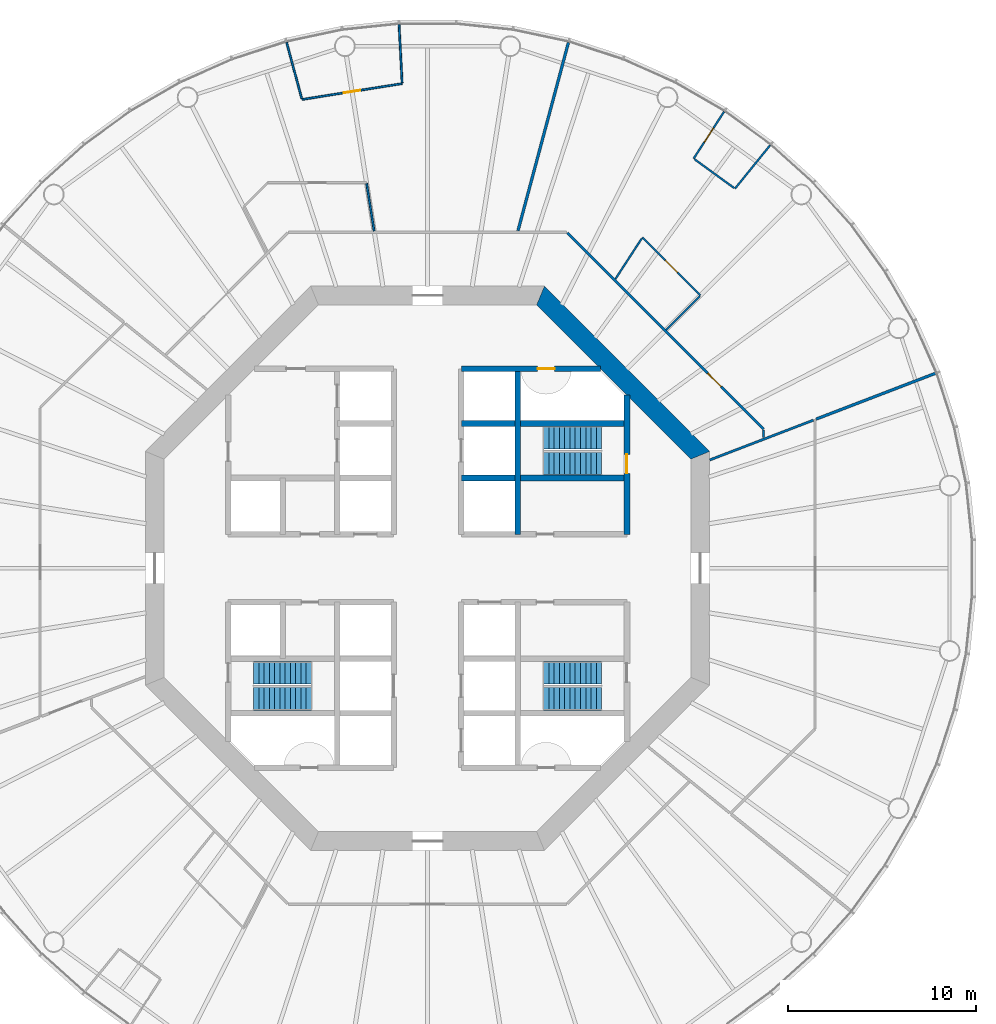
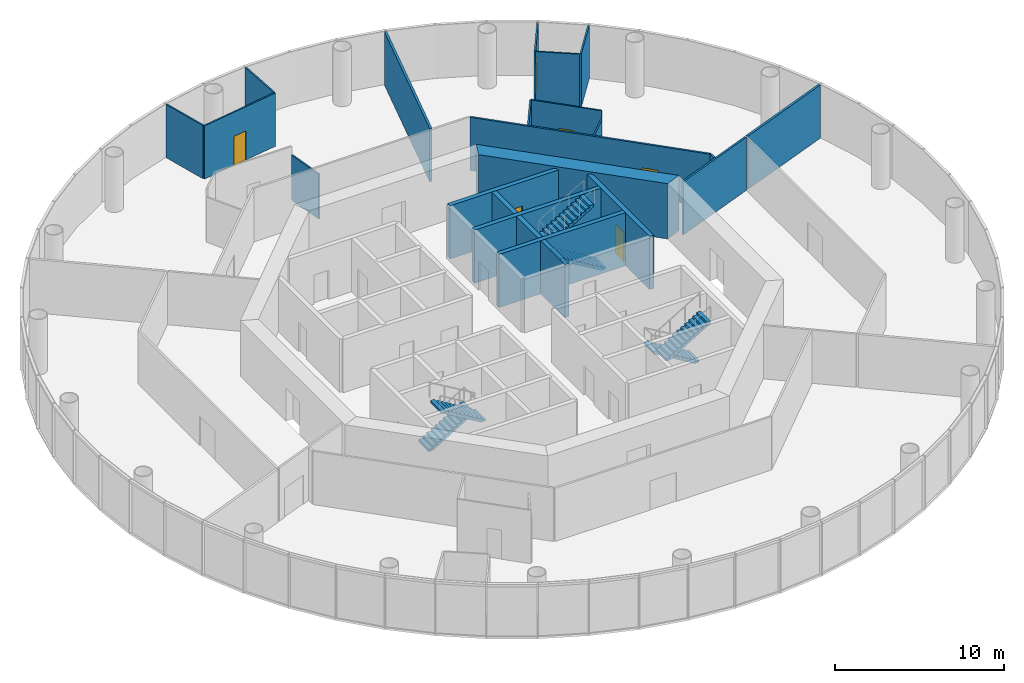
# One storey, part 5 of 12: 21 walls, 6 doors, 6 stair flights, 6 openings, 3 elements without a shape of their own.
"""IFC4 building model written with IfcOpenShell, lengths in metres."""

from ifc_helpers import new_model, si_unit, direction, frame, frame_2d, origin, place, context, subcontext, project, spatial, polyline, rectangle, outline, extrude, material, layer, layer_set, type_object, element, fill, aggregate, save


model = new_model("IFC4")

# Units and contexts
model_context = context("Model", 3, precision=1e-05, world=origin(), true_north=direction((0.0, 1.0)))
body_context = subcontext(model_context, "Body", "Model", "MODEL_VIEW")
ifc_project = project(units=[si_unit("LENGTHUNIT", "METRE"), si_unit("AREAUNIT", "SQUARE_METRE"), si_unit("VOLUMEUNIT", "CUBIC_METRE"), si_unit("PLANEANGLEUNIT", "RADIAN"), si_unit("MASSUNIT", "GRAM", prefix="KILO")], contexts=[model_context])

# Site, building, storey
site_placement = place(None, origin())
site = spatial("IfcSite", under=ifc_project, at=site_placement, CompositionType="ELEMENT")
building_placement = place(site_placement, origin())
building = spatial("IfcBuilding", under=site, at=building_placement, Name="Entoto Ring Tower", CompositionType="ELEMENT")
storey_placement = place(building_placement, frame((0.0, 0.0, 152.0)))
storey = spatial("IfcBuildingStorey", under=building, at=storey_placement, Name="L34", CompositionType="ELEMENT", Elevation=152.0)

# Wall, opening, door
ifc_material_1 = material(Name="Concrete C40/50", Category="concrete")
ifc_layer_1 = layer(ifc_material_1, 0.300048828125)
ifc_layer_set_1 = layer_set([ifc_layer_1], Name="Concrete C40/50")
wall_type_1 = type_object("IfcWallType", Name="Core enclosure wall 300 mm reinforced concrete", PredefinedType="SOLIDWALL", material=ifc_layer_set_1)
wall_1_placement = place(storey_placement, frame((100.60009765625, 81.800048828125, 0.0), z_axis=(0.0, 0.0, 1.0), x_axis=(0.0, 1.0, 0.0)))
wall_1 = element("IfcWall", 1, at=wall_1_placement, inside=storey, type_object=wall_type_1, Name="wall-L34-002", PredefinedType="SOLIDWALL", context=body_context, shape_type="SweptSolid", body=[
    extrude(rectangle(XDim=7.39892578125, YDim=0.300048828125, at=frame_2d((3.699462890625, 0.0))), origin(), (0.0, 0.0, 1.0), 3.85009765625),
])
opening_1_placement = place(wall_1_placement, frame((3.25, 0.0, 0.0)))
opening_1 = element("IfcOpeningElement", 2, at=opening_1_placement, cuts=wall_1, Name="Opening K-52", PredefinedType="OPENING", context=body_context, shape_type="SweptSolid", body=[
    extrude(rectangle(XDim=1.0, YDim=2.10009765625, at=frame_2d((0.5, 1.050048828125))), frame((0.0, 0.16015625, 0.0), z_axis=(0.0, -1.0, 0.0), x_axis=(1.0, 0.0, 0.0)), (0.0, 0.0, 1.0), 0.320068359375),
])
ifc_material_2 = material(Name="Steel door leaf, fire rated", Category="steel")
ifc_layer_2 = layer(ifc_material_2, 0.050048828125)
ifc_layer_set_2 = layer_set([ifc_layer_2], Name="Steel door leaf, fire rated")
door_type_1 = type_object("IfcDoorType", Name="Fire door FD60 1000 x 2100 single leaf", OperationType="NOTDEFINED", PredefinedType="DOOR", material=ifc_layer_set_2)
door_1_placement = place(opening_1_placement, origin())
door_1 = element("IfcDoor", 3, at=door_1_placement, inside=storey, type_object=door_type_1, Name="Door K-52", OperationType="SINGLE_SWING_LEFT", OverallHeight=2.10009765625, OverallWidth=1.0, PredefinedType="DOOR", context=body_context, shape_type="SweptSolid", body=[
    extrude(rectangle(XDim=1.0, YDim=2.10009765625, at=frame_2d((0.5, 1.050048828125))), frame((0.0, 0.02490234375, 0.0), z_axis=(0.0, -1.0, 0.0), x_axis=(1.0, 0.0, 0.0)), (0.0, 0.0, 1.0), 0.050048828125),
])
fill(opening_1, door_1)

# Walls
for number, where, z_axis, x_axis, name in (
    (4, (94.800048828125, 81.800048828125, 0.0), (0.0, 0.0, 1.0), (0.0, 1.0, 0.0), "wall-L34-004"),
    (5, (91.800048828125, 84.800048828125, 0.0), (0.0, 0.0, 1.0), (1.0, 0.0, 0.0), "wall-L34-026"),
    (6, (91.800048828125, 87.699951171875, 0.0), (0.0, 0.0, 1.0), (1.0, 0.0, 0.0), "wall-L34-028"),
):
    element("IfcWall", number, at=place(storey_placement, frame(where, z_axis=z_axis, x_axis=x_axis)), inside=storey, type_object=wall_type_1, Name=name, PredefinedType="SOLIDWALL", context=body_context, shape_type="SweptSolid", body=[
        extrude(rectangle(XDim=8.800048828125, YDim=0.300048828125, at=frame_2d((4.39990234375, 0.0))), origin(), (0.0, 0.0, 1.0), 3.85009765625),
    ])

# Wall, opening, door
wall_2_placement = place(storey_placement, frame((91.800048828125, 90.60009765625, 0.0), z_axis=(0.0, 0.0, 1.0), x_axis=(1.0, 0.0, 0.0)))
wall_2 = element("IfcWall", 7, at=wall_2_placement, inside=storey, type_object=wall_type_1, Name="wall-L34-030", PredefinedType="SOLIDWALL", context=body_context, shape_type="SweptSolid", body=[
    extrude(rectangle(XDim=7.39892578125, YDim=0.300048828125, at=frame_2d((3.699462890625, 0.0))), origin(), (0.0, 0.0, 1.0), 3.85009765625),
])
opening_2_placement = place(wall_2_placement, frame((4.050048828125, 0.0, 0.0)))
opening_2 = element("IfcOpeningElement", 8, at=opening_2_placement, cuts=wall_2, Name="Opening K-60", PredefinedType="OPENING", context=body_context, shape_type="SweptSolid", body=[
    extrude(rectangle(XDim=0.89990234375, YDim=2.10009765625, at=frame_2d((0.449951171875, 1.050048828125))), frame((0.0, 0.16015625, 0.0), z_axis=(0.0, -1.0, 0.0), x_axis=(1.0, 0.0, 0.0)), (0.0, 0.0, 1.0), 0.320068359375),
])
ifc_material_3 = material(Name="Steel door leaf, fire rated", Category="steel")
ifc_layer_3 = layer(ifc_material_3, 0.050048828125)
ifc_layer_set_3 = layer_set([ifc_layer_3], Name="Steel door leaf, fire rated")
door_type_2 = type_object("IfcDoorType", Name="Riser door FD60 900 x 2100 single leaf", OperationType="NOTDEFINED", PredefinedType="DOOR", material=ifc_layer_set_3)
door_2_placement = place(opening_2_placement, frame((0.89990234375, 0.0, 0.0), z_axis=(0.0, 0.0, 1.0), x_axis=(-1.0, 0.0, 0.0)))
door_2 = element("IfcDoor", 9, at=door_2_placement, inside=storey, type_object=door_type_2, Name="Door K-60", OperationType="SINGLE_SWING_RIGHT", OverallHeight=2.10009765625, OverallWidth=0.89990234375, PredefinedType="DOOR", context=body_context, shape_type="SweptSolid", body=[
    extrude(rectangle(XDim=0.89990234375, YDim=2.10009765625, at=frame_2d((0.449951171875, 1.050048828125))), frame((0.0, 0.02490234375, 0.0), z_axis=(0.0, -1.0, 0.0), x_axis=(1.0, 0.0, 0.0)), (0.0, 0.0, 1.0), 0.050048828125),
])
fill(opening_2, door_2)

# Wall
ifc_material_4 = material(Name="Concrete C50/60", Category="concrete")
ifc_layer_4 = layer(ifc_material_4, 1.0)
ifc_layer_set_4 = layer_set([ifc_layer_4], Name="Concrete C50/60")
wall_type_2 = type_object("IfcWallType", Name="Core shear wall 1000 mm reinforced concrete C50/60", PredefinedType="SHEAR", material=ifc_layer_set_4)
wall_3_placement = place(storey_placement, frame((104.5, 86.006103515625, 0.0), z_axis=(0.0, 0.0, 1.0), x_axis=(-0.707106781187, 0.707106781187, 0.0)))
element("IfcWall", 10, at=wall_3_placement, inside=storey, type_object=wall_type_2, Name="wall-L34-core-1", PredefinedType="SHEAR", context=body_context, shape_type="SweptSolid", body=[
    extrude(outline(polyline([(-0.20703125, -0.5), (12.21923828125, -0.5), (11.80517578125, 0.5), (0.20703125, 0.5), (-0.20703125, -0.5)])), origin(), (0.0, 0.0, 1.0), 4.0),
])

# Wall, opening, door
ifc_material_5 = material(Name="Fire-resisting plasterboard on steel studs", Category="steel")
ifc_layer_5 = layer(ifc_material_5, 0.125)
ifc_layer_set_5 = layer_set([ifc_layer_5], Name="Fire-resisting plasterboard on steel studs")
wall_type_3 = type_object("IfcWallType", Name="Corridor wall 125 mm one-hour plasterboard on steel studs", PredefinedType="PARTITIONING", material=ifc_layer_set_5)
wall_4_placement = place(storey_placement, frame((107.862548828125, 87.39892578125, 0.0), z_axis=(0.0, 0.0, 1.0), x_axis=(-0.707115054973, 0.707098507303, 0.0)))
wall_4 = element("IfcWall", 11, at=wall_4_placement, inside=storey, type_object=wall_type_3, Name="partition-L34-006", PredefinedType="PARTITIONING", context=body_context, shape_type="SweptSolid", body=[
    extrude(rectangle(XDim=14.753662109375, YDim=0.125, at=frame_2d((7.376953125, 0.0))), origin(), (0.0, 0.0, 1.0), 3.85009765625),
])
opening_3_placement = place(wall_4_placement, frame((3.199462890625, 0.0, 0.0)))
opening_3 = element("IfcOpeningElement", 12, at=opening_3_placement, cuts=wall_4, Name="Opening A15-D03", PredefinedType="OPENING", context=body_context, shape_type="SweptSolid", body=[
    extrude(rectangle(XDim=1.0, YDim=2.10009765625, at=frame_2d((0.5, 1.050048828125))), frame((0.0, 0.072509765625, 0.0), z_axis=(0.0, -1.0, 0.0), x_axis=(1.0, 0.0, 0.0)), (0.0, 0.0, 1.0), 0.14501953125),
])
ifc_material_6 = material(Name="Fire-resisting timber door set", Category="wood")
door_type_3 = type_object("IfcDoorType", Name="Door 1000 x 2100 single leaf FD30S fire door", OperationType="NOTDEFINED", PredefinedType="DOOR", material=ifc_material_6)
door_3_placement = place(opening_3_placement, frame((1.0, 0.0, 0.0), z_axis=(0.0, 0.0, 1.0), x_axis=(-1.0, 0.0, 0.0)))
door_3 = element("IfcDoor", 13, at=door_3_placement, inside=storey, type_object=door_type_3, Name="Door A15-D03", OperationType="SINGLE_SWING_LEFT", OverallHeight=2.10009765625, OverallWidth=1.0, PredefinedType="DOOR", context=body_context, shape_type="SweptSolid", body=[
    extrude(rectangle(XDim=1.0, YDim=2.10009765625, at=frame_2d((0.5, 1.050048828125))), frame((0.0, 0.02490234375, 0.0), z_axis=(0.0, -1.0, 0.0), x_axis=(1.0, 0.0, 0.0)), (0.0, 0.0, 1.0), 0.050048828125),
])
fill(opening_3, door_3)

# Walls
wall_5_placement = place(storey_placement, frame((105.0, 85.758056640625, 0.0), z_axis=(0.0, 0.0, 1.0), x_axis=(0.933592488158, 0.358336526264, 0.0)))
element("IfcWall", 14, at=wall_5_placement, inside=storey, type_object=wall_type_3, Name="partition-L34-012", PredefinedType="PARTITIONING", context=body_context, shape_type="SweptSolid", body=[
    extrude(rectangle(XDim=5.90771484375, YDim=0.125, at=frame_2d((2.953857421875, 0.0))), origin(), (0.0, 0.0, 1.0), 3.85009765625),
])
wall_6_placement = place(storey_placement, frame((107.862548828125, 86.947509765625, 0.0), z_axis=(0.0, 0.0, 1.0), x_axis=(0.0, 1.0, 0.0)))
element("IfcWall", 15, at=wall_6_placement, inside=storey, type_object=wall_type_3, Name="partition-L34-016", PredefinedType="PARTITIONING", context=body_context, shape_type="SweptSolid", body=[
    extrude(rectangle(XDim=0.407470703125, YDim=0.125, at=frame_2d((0.20361328125, 0.0))), origin(), (0.0, 0.0, 1.0), 3.85009765625),
])

# Wall, opening, door
ifc_material_7 = material(Name="Plasterboard on steel studs", Category="steel")
ifc_layer_6 = layer(ifc_material_7, 0.10009765625)
ifc_layer_set_6 = layer_set([ifc_layer_6], Name="Plasterboard on steel studs")
wall_type_4 = type_object("IfcWallType", Name="Partition 100 mm plasterboard on steel studs", PredefinedType="PARTITIONING", material=ifc_layer_set_6)
wall_7_placement = place(storey_placement, frame((83.322509765625, 104.9208984375, 0.0), z_axis=(0.0, 0.0, 1.0), x_axis=(0.987687980324, 0.156436739688, 0.0)))
wall_7 = element("IfcWall", 16, at=wall_7_placement, inside=storey, type_object=wall_type_4, Name="partition-L34-022", PredefinedType="PARTITIONING", context=body_context, shape_type="SweptSolid", body=[
    extrude(rectangle(XDim=5.3935546875, YDim=0.10009765625, at=frame_2d((2.69677734375, 0.0))), origin(), (0.0, 0.0, 1.0), 3.85009765625),
])
opening_4_placement = place(wall_7_placement, frame((2.246826171875, 0.0, 0.0)))
opening_4 = element("IfcOpeningElement", 17, at=opening_4_placement, cuts=wall_7, Name="Opening A15-D08", PredefinedType="OPENING", context=body_context, shape_type="SweptSolid", body=[
    extrude(rectangle(XDim=0.89990234375, YDim=2.10009765625, at=frame_2d((0.449951171875, 1.050048828125))), frame((0.0, 0.06005859375, 0.0), z_axis=(0.0, -1.0, 0.0), x_axis=(1.0, 0.0, 0.0)), (0.0, 0.0, 1.0), 0.1201171875),
])
ifc_material_8 = material(Name="Veneered timber door leaf in timber frame", Category="wood")
door_type_4 = type_object("IfcDoorType", Name="Door 900 x 2100 single leaf timber veneer", OperationType="NOTDEFINED", PredefinedType="DOOR", material=ifc_material_8)
door_4_placement = place(opening_4_placement, origin())
door_4 = element("IfcDoor", 18, at=door_4_placement, inside=storey, type_object=door_type_4, Name="Door A15-D08", OperationType="SINGLE_SWING_RIGHT", OverallHeight=2.10009765625, OverallWidth=0.89990234375, PredefinedType="DOOR", context=body_context, shape_type="SweptSolid", body=[
    extrude(rectangle(XDim=0.89990234375, YDim=2.10009765625, at=frame_2d((0.449951171875, 1.050048828125))), frame((0.0, 0.02490234375, 0.0), z_axis=(0.0, -1.0, 0.0), x_axis=(1.0, 0.0, 0.0)), (0.0, 0.0, 1.0), 0.050048828125),
])
fill(opening_4, door_4)

wall_8_placement = place(storey_placement, frame((104.50439453125, 94.50439453125, 0.0), z_axis=(0.0, 0.0, 1.0), x_axis=(-0.707078784165, 0.7071347771, 0.0)))
wall_8 = element("IfcWall", 19, at=wall_8_placement, inside=storey, type_object=wall_type_4, Name="partition-L34-025", PredefinedType="PARTITIONING", context=body_context, shape_type="SweptSolid", body=[
    extrude(rectangle(XDim=4.360107421875, YDim=0.10009765625, at=frame_2d((2.18017578125, 0.0))), origin(), (0.0, 0.0, 1.0), 3.85009765625),
])
opening_5_placement = place(wall_8_placement, frame((1.72998046875, 0.0, 0.0)))
opening_5 = element("IfcOpeningElement", 20, at=opening_5_placement, cuts=wall_8, Name="Opening A15-D04", PredefinedType="OPENING", context=body_context, shape_type="SweptSolid", body=[
    extrude(rectangle(XDim=0.89990234375, YDim=2.10009765625, at=frame_2d((0.449951171875, 1.050048828125))), frame((0.0, 0.06005859375, 0.0), z_axis=(0.0, -1.0, 0.0), x_axis=(1.0, 0.0, 0.0)), (0.0, 0.0, 1.0), 0.1201171875),
])
door_5_placement = place(opening_5_placement, origin())
door_5 = element("IfcDoor", 21, at=door_5_placement, inside=storey, type_object=door_type_4, Name="Door A15-D04", OperationType="SINGLE_SWING_RIGHT", OverallHeight=2.10009765625, OverallWidth=0.89990234375, PredefinedType="DOOR", context=body_context, shape_type="SweptSolid", body=[
    extrude(rectangle(XDim=0.89990234375, YDim=2.10009765625, at=frame_2d((0.449951171875, 1.050048828125))), frame((0.0, 0.02490234375, 0.0), z_axis=(0.0, -1.0, 0.0), x_axis=(1.0, 0.0, 0.0)), (0.0, 0.0, 1.0), 0.050048828125),
])
fill(opening_5, door_5)

# Walls
wall_9_placement = place(storey_placement, frame((88.647216796875, 105.814208984375, 0.0), z_axis=(0.0, 0.0, 1.0), x_axis=(-0.052376392373, 0.998627414766, 0.0)))
element("IfcWall", 22, at=wall_9_placement, inside=storey, type_object=wall_type_4, Name="partition-L34-026", PredefinedType="PARTITIONING", context=body_context, shape_type="SweptSolid", body=[
    extrude(rectangle(XDim=3.09033203125, YDim=0.10009765625, at=frame_2d((1.545166015625, 0.0))), origin(), (0.0, 0.0, 1.0), 3.85009765625),
])
wall_10_placement = place(storey_placement, frame((83.3095703125, 104.968994140625, 0.0), z_axis=(0.0, 0.0, 1.0), x_axis=(-0.258822964688, 0.965924776031, 0.0)))
element("IfcWall", 23, at=wall_10_placement, inside=storey, type_object=wall_type_4, Name="partition-L34-027", PredefinedType="PARTITIONING", context=body_context, shape_type="SweptSolid", body=[
    extrude(rectangle(XDim=3.090087890625, YDim=0.10009765625, at=frame_2d((1.544921875, 0.0))), origin(), (0.0, 0.0, 1.0), 3.85009765625),
])

# Wall, opening, door
wall_11_placement = place(storey_placement, frame((104.144287109375, 101.7802734375, 0.0), z_axis=(0.0, 0.0, 1.0), x_axis=(0.544682036648, 0.838642640791, 0.0)))
wall_11 = element("IfcWall", 24, at=wall_11_placement, inside=storey, type_object=wall_type_4, Name="partition-L34-028", PredefinedType="PARTITIONING", context=body_context, shape_type="SweptSolid", body=[
    extrude(rectangle(XDim=2.969970703125, YDim=0.10009765625, at=frame_2d((1.48486328125, 0.0))), origin(), (0.0, 0.0, 1.0), 3.85009765625),
])
opening_6_placement = place(wall_11_placement, frame((1.034912109375, 0.0, 0.0)))
opening_6 = element("IfcOpeningElement", 25, at=opening_6_placement, cuts=wall_11, Name="Opening A15-D05", PredefinedType="OPENING", context=body_context, shape_type="SweptSolid", body=[
    extrude(rectangle(XDim=0.89990234375, YDim=2.10009765625, at=frame_2d((0.449951171875, 1.050048828125))), frame((0.0, 0.06005859375, 0.0), z_axis=(0.0, -1.0, 0.0), x_axis=(1.0, 0.0, 0.0)), (0.0, 0.0, 1.0), 0.1201171875),
])
door_6_placement = place(opening_6_placement, frame((0.89990234375, 0.0, 0.0), z_axis=(0.0, 0.0, 1.0), x_axis=(-1.0, 0.0, 0.0)))
door_6 = element("IfcDoor", 26, at=door_6_placement, inside=storey, type_object=door_type_4, Name="Door A15-D05", OperationType="SINGLE_SWING_LEFT", OverallHeight=2.10009765625, OverallWidth=0.89990234375, PredefinedType="DOOR", context=body_context, shape_type="SweptSolid", body=[
    extrude(rectangle(XDim=0.89990234375, YDim=2.10009765625, at=frame_2d((0.449951171875, 1.050048828125))), frame((0.0, 0.02490234375, 0.0), z_axis=(0.0, -1.0, 0.0), x_axis=(1.0, 0.0, 0.0)), (0.0, 0.0, 1.0), 0.050048828125),
])
fill(opening_6, door_6)

# Walls
wall_12_placement = place(storey_placement, frame((106.343505859375, 100.1826171875, 0.0), z_axis=(0.0, 0.0, 1.0), x_axis=(0.629325928916, 0.777141476949, 0.0)))
element("IfcWall", 27, at=wall_12_placement, inside=storey, type_object=wall_type_4, Name="partition-L34-029", PredefinedType="PARTITIONING", context=body_context, shape_type="SweptSolid", body=[
    extrude(rectangle(XDim=2.9697265625, YDim=0.10009765625, at=frame_2d((1.48486328125, 0.0))), origin(), (0.0, 0.0, 1.0), 3.85009765625),
])
wall_13_placement = place(storey_placement, frame((106.302978515625, 100.2119140625, 0.0), z_axis=(0.0, 0.0, 1.0), x_axis=(-0.808994068442, 0.587816805839, 0.0)))
element("IfcWall", 28, at=wall_13_placement, inside=storey, type_object=wall_type_4, Name="partition-L34-034", PredefinedType="PARTITIONING", context=body_context, shape_type="SweptSolid", body=[
    extrude(rectangle(XDim=2.6181640625, YDim=0.10009765625, at=frame_2d((1.30908203125, 0.0))), origin(), (0.0, 0.0, 1.0), 3.85009765625),
])
wall_14_placement = place(storey_placement, frame((99.986572265625, 95.377685546875, 0.0), z_axis=(0.0, 0.0, 1.0), x_axis=(0.544588108652, 0.838703637714, 0.0)))
element("IfcWall", 29, at=wall_14_placement, inside=storey, type_object=wall_type_4, Name="partition-L34-036", PredefinedType="PARTITIONING", context=body_context, shape_type="SweptSolid", body=[
    extrude(rectangle(XDim=2.5732421875, YDim=0.10009765625, at=frame_2d((1.28662109375, 0.0))), origin(), (0.0, 0.0, 1.0), 3.85009765625),
])
ifc_material_9 = material(Name="Plasterboard on steel studs", Category="steel")
ifc_layer_7 = layer(ifc_material_9, 0.10009765625)
ifc_layer_set_7 = layer_set([ifc_layer_7], Name="Plasterboard on steel studs")
wall_type_5 = type_object("IfcWallType", Name="Partition 100 mm plasterboard on steel studs, 3250 mm high", PredefinedType="PARTITIONING", material=ifc_layer_set_7)
wall_15_placement = place(storey_placement, frame((87.15966796875, 97.9326171875, 0.0), z_axis=(0.0, 0.0, 1.0), x_axis=(-0.156375114101, 0.987697739033, 0.0)))
element("IfcWall", 30, at=wall_15_placement, inside=storey, type_object=wall_type_5, Name="partition-L34-037", PredefinedType="PARTITIONING", context=body_context, shape_type="SweptSolid", body=[
    extrude(rectangle(XDim=2.552734375, YDim=0.10009765625, at=frame_2d((1.2763671875, 0.0))), origin(), (0.0, 0.0, 1.0), 3.25),
])
wall_16_placement = place(storey_placement, frame((102.675048828125, 92.675048828125, 0.0), z_axis=(0.0, 0.0, 1.0), x_axis=(0.707106781187, 0.707106781187, 0.0)))
element("IfcWall", 31, at=wall_16_placement, inside=storey, type_object=wall_type_5, Name="partition-L34-038", PredefinedType="PARTITIONING", context=body_context, shape_type="SweptSolid", body=[
    extrude(rectangle(XDim=2.537109375, YDim=0.10009765625, at=frame_2d((1.2685546875, 0.0))), origin(), (0.0, 0.0, 1.0), 3.25),
])
ifc_material_10 = material(Name="Fire-resisting acoustic plasterboard on steel studs", Category="steel")
ifc_layer_8 = layer(ifc_material_10, 0.14990234375)
ifc_layer_set_8 = layer_set([ifc_layer_8], Name="Fire-resisting acoustic plasterboard on steel studs")
wall_type_6 = type_object("IfcWallType", Name="Party wall 150 mm one-hour acoustic plasterboard on steel studs", PredefinedType="PARTITIONING", material=ifc_layer_set_8)
wall_17_placement = place(storey_placement, frame((94.80810546875, 97.9443359375, 0.0), z_axis=(0.0, 0.0, 1.0), x_axis=(0.258826761906, 0.965923758545, 0.0)))
element("IfcWall", 32, at=wall_17_placement, inside=storey, type_object=wall_type_6, Name="partition-L34-017", PredefinedType="PARTITIONING", context=body_context, shape_type="SweptSolid", body=[
    extrude(rectangle(XDim=10.362548828125, YDim=0.14990234375, at=frame_2d((5.18115234375, 0.0))), origin(), (0.0, 0.0, 1.0), 3.85009765625),
])
wall_18_placement = place(storey_placement, frame((110.654296875, 87.928466796875, 0.0), z_axis=(0.0, 0.0, 1.0), x_axis=(0.933585412346, 0.358354960695, 0.0)))
element("IfcWall", 33, at=wall_18_placement, inside=storey, type_object=wall_type_6, Name="partition-L34-021", PredefinedType="PARTITIONING", context=body_context, shape_type="SweptSolid", body=[
    extrude(rectangle(XDim=6.816162109375, YDim=0.14990234375, at=frame_2d((3.408203125, 0.0))), origin(), (0.0, 0.0, 1.0), 3.85009765625),
])

# Stair, stair flights
ifc_material_11 = material(Name="Concrete C40/50", Category="concrete")
stair_type = type_object("IfcStairType", Name="Exit stair 1200 mm dog-leg reinforced concrete", PredefinedType="HALF_TURN_STAIR", material=ifc_material_11)
stair_1_placement = place(storey_placement, origin())
stair_1 = element("IfcStair", 34, at=stair_1_placement, inside=storey, type_object=stair_type, Name="Exit stair 1", PredefinedType="HALF_TURN_STAIR")
ifc_material_12 = material(Name="Concrete C40/50", Category="concrete")
stair_flight_type = type_object("IfcStairFlightType", Name="Stair flight 1200 mm reinforced concrete", PredefinedType="STRAIGHT", material=ifc_material_12)
stair_flight_1_placement = place(storey_placement, frame((99.25, 85.550048828125, 0.0), z_axis=(0.0, 0.0, 1.0), x_axis=(-1.0, 0.0, 0.0)))
stair_flight_1 = element("IfcStairFlight", 35, at=stair_flight_1_placement, type_object=stair_flight_type, Name="ST1 flight 1", NumberOfRisers=12, NumberOfTreads=11, PredefinedType="STRAIGHT", RiserHeight=0.166666667, TreadLength=0.28, context=body_context, shape_type="SweptSolid", body=[
    extrude(outline(polyline([(0.0, 0.0), (0.0, 0.166748046875), (0.280029296875, 0.166748046875), (0.280029296875, 0.333251953125), (0.56005859375, 0.333251953125), (0.56005859375, 0.5), (0.840087890625, 0.5), (0.840087890625, 0.666748046875), (1.1201171875, 0.666748046875), (1.1201171875, 0.833251953125), (1.39990234375, 0.833251953125), (1.39990234375, 1.0), (1.679931640625, 1.0), (1.679931640625, 1.166748046875), (1.9599609375, 1.166748046875), (1.9599609375, 1.333251953125), (2.239990234375, 1.333251953125), (2.239990234375, 1.5), (2.52001953125, 1.5), (2.52001953125, 1.666748046875), (2.800048828125, 1.666748046875), (2.800048828125, 1.833251953125), (3.080078125, 1.833251953125), (3.080078125, 2.0), (3.080078125, 1.658935546875), (0.29296875, 0.0), (0.0, 0.0)])), frame((0.0, 0.60009765625, 0.0), z_axis=(0.0, -1.0, 0.0), x_axis=(1.0, 0.0, 0.0)), (0.0, 0.0, 1.0), 1.199951171875),
])
stair_flight_2_placement = place(storey_placement, frame((96.169921875, 86.949951171875, 2.0), z_axis=(0.0, 0.0, 1.0), x_axis=(1.0, 0.0, 0.0)))
stair_flight_2 = element("IfcStairFlight", 36, at=stair_flight_2_placement, type_object=stair_flight_type, Name="ST1 flight 2", NumberOfRisers=12, NumberOfTreads=11, PredefinedType="STRAIGHT", RiserHeight=0.166666667, TreadLength=0.28, context=body_context, shape_type="SweptSolid", body=[
    extrude(outline(polyline([(0.0, 0.0), (0.0, 0.166748046875), (0.280029296875, 0.166748046875), (0.280029296875, 0.333251953125), (0.56005859375, 0.333251953125), (0.56005859375, 0.5), (0.840087890625, 0.5), (0.840087890625, 0.666748046875), (1.1201171875, 0.666748046875), (1.1201171875, 0.833251953125), (1.39990234375, 0.833251953125), (1.39990234375, 1.0), (1.679931640625, 1.0), (1.679931640625, 1.166748046875), (1.9599609375, 1.166748046875), (1.9599609375, 1.333251953125), (2.239990234375, 1.333251953125), (2.239990234375, 1.5), (2.52001953125, 1.5), (2.52001953125, 1.666748046875), (2.800048828125, 1.666748046875), (2.800048828125, 1.833251953125), (3.080078125, 1.833251953125), (3.080078125, 2.0), (3.080078125, 1.658935546875), (0.29296875, 0.0), (0.0, 0.0)])), frame((0.0, 0.60009765625, 0.0), z_axis=(0.0, -1.0, 0.0), x_axis=(1.0, 0.0, 0.0)), (0.0, 0.0, 1.0), 1.199951171875),
])
aggregate(stair_1, [stair_flight_1, stair_flight_2])

stair_2_placement = place(storey_placement, origin())
stair_2 = element("IfcStair", 37, at=stair_2_placement, inside=storey, type_object=stair_type, Name="Exit stair 2", PredefinedType="HALF_TURN_STAIR")
stair_flight_3_placement = place(storey_placement, frame((80.75, 74.449951171875, 0.0), z_axis=(0.0, 0.0, 1.0), x_axis=(1.0, 0.0, 0.0)))
stair_flight_3 = element("IfcStairFlight", 38, at=stair_flight_3_placement, type_object=stair_flight_type, Name="ST2 flight 1", NumberOfRisers=12, NumberOfTreads=11, PredefinedType="STRAIGHT", RiserHeight=0.166666667, TreadLength=0.28, context=body_context, shape_type="SweptSolid", body=[
    extrude(outline(polyline([(0.0, 0.0), (0.0, 0.166748046875), (0.280029296875, 0.166748046875), (0.280029296875, 0.333251953125), (0.56005859375, 0.333251953125), (0.56005859375, 0.5), (0.840087890625, 0.5), (0.840087890625, 0.666748046875), (1.1201171875, 0.666748046875), (1.1201171875, 0.833251953125), (1.39990234375, 0.833251953125), (1.39990234375, 1.0), (1.679931640625, 1.0), (1.679931640625, 1.166748046875), (1.9599609375, 1.166748046875), (1.9599609375, 1.333251953125), (2.239990234375, 1.333251953125), (2.239990234375, 1.5), (2.52001953125, 1.5), (2.52001953125, 1.666748046875), (2.800048828125, 1.666748046875), (2.800048828125, 1.833251953125), (3.080078125, 1.833251953125), (3.080078125, 2.0), (3.080078125, 1.658935546875), (0.29296875, 0.0), (0.0, 0.0)])), frame((0.0, 0.60009765625, 0.0), z_axis=(0.0, -1.0, 0.0), x_axis=(1.0, 0.0, 0.0)), (0.0, 0.0, 1.0), 1.199951171875),
])
stair_flight_4_placement = place(storey_placement, frame((83.830078125, 73.050048828125, 2.0), z_axis=(0.0, 0.0, 1.0), x_axis=(-1.0, 0.0, 0.0)))
stair_flight_4 = element("IfcStairFlight", 39, at=stair_flight_4_placement, type_object=stair_flight_type, Name="ST2 flight 2", NumberOfRisers=12, NumberOfTreads=11, PredefinedType="STRAIGHT", RiserHeight=0.166666667, TreadLength=0.28, context=body_context, shape_type="SweptSolid", body=[
    extrude(outline(polyline([(0.0, 0.0), (0.0, 0.166748046875), (0.280029296875, 0.166748046875), (0.280029296875, 0.333251953125), (0.56005859375, 0.333251953125), (0.56005859375, 0.5), (0.840087890625, 0.5), (0.840087890625, 0.666748046875), (1.1201171875, 0.666748046875), (1.1201171875, 0.833251953125), (1.39990234375, 0.833251953125), (1.39990234375, 1.0), (1.679931640625, 1.0), (1.679931640625, 1.166748046875), (1.9599609375, 1.166748046875), (1.9599609375, 1.333251953125), (2.239990234375, 1.333251953125), (2.239990234375, 1.5), (2.52001953125, 1.5), (2.52001953125, 1.666748046875), (2.800048828125, 1.666748046875), (2.800048828125, 1.833251953125), (3.080078125, 1.833251953125), (3.080078125, 2.0), (3.080078125, 1.658935546875), (0.29296875, 0.0), (0.0, 0.0)])), frame((0.0, 0.60009765625, 0.0), z_axis=(0.0, -1.0, 0.0), x_axis=(1.0, 0.0, 0.0)), (0.0, 0.0, 1.0), 1.199951171875),
])
aggregate(stair_2, [stair_flight_3, stair_flight_4])

stair_3_placement = place(storey_placement, origin())
stair_3 = element("IfcStair", 40, at=stair_3_placement, inside=storey, type_object=stair_type, Name="Exit stair 3", PredefinedType="HALF_TURN_STAIR")
stair_flight_5_placement = place(storey_placement, frame((99.25, 74.449951171875, 0.0), z_axis=(0.0, 0.0, 1.0), x_axis=(-1.0, 0.0, 0.0)))
stair_flight_5 = element("IfcStairFlight", 41, at=stair_flight_5_placement, type_object=stair_flight_type, Name="ST3 flight 1", NumberOfRisers=12, NumberOfTreads=11, PredefinedType="STRAIGHT", RiserHeight=0.166666667, TreadLength=0.28, context=body_context, shape_type="SweptSolid", body=[
    extrude(outline(polyline([(0.0, 0.0), (0.0, 0.166748046875), (0.280029296875, 0.166748046875), (0.280029296875, 0.333251953125), (0.56005859375, 0.333251953125), (0.56005859375, 0.5), (0.840087890625, 0.5), (0.840087890625, 0.666748046875), (1.1201171875, 0.666748046875), (1.1201171875, 0.833251953125), (1.39990234375, 0.833251953125), (1.39990234375, 1.0), (1.679931640625, 1.0), (1.679931640625, 1.166748046875), (1.9599609375, 1.166748046875), (1.9599609375, 1.333251953125), (2.239990234375, 1.333251953125), (2.239990234375, 1.5), (2.52001953125, 1.5), (2.52001953125, 1.666748046875), (2.800048828125, 1.666748046875), (2.800048828125, 1.833251953125), (3.080078125, 1.833251953125), (3.080078125, 2.0), (3.080078125, 1.658935546875), (0.29296875, 0.0), (0.0, 0.0)])), frame((0.0, 0.60009765625, 0.0), z_axis=(0.0, -1.0, 0.0), x_axis=(1.0, 0.0, 0.0)), (0.0, 0.0, 1.0), 1.199951171875),
])
stair_flight_6_placement = place(storey_placement, frame((96.169921875, 73.050048828125, 2.0), z_axis=(0.0, 0.0, 1.0), x_axis=(1.0, 0.0, 0.0)))
stair_flight_6 = element("IfcStairFlight", 42, at=stair_flight_6_placement, type_object=stair_flight_type, Name="ST3 flight 2", NumberOfRisers=12, NumberOfTreads=11, PredefinedType="STRAIGHT", RiserHeight=0.166666667, TreadLength=0.28, context=body_context, shape_type="SweptSolid", body=[
    extrude(outline(polyline([(0.0, 0.0), (0.0, 0.166748046875), (0.280029296875, 0.166748046875), (0.280029296875, 0.333251953125), (0.56005859375, 0.333251953125), (0.56005859375, 0.5), (0.840087890625, 0.5), (0.840087890625, 0.666748046875), (1.1201171875, 0.666748046875), (1.1201171875, 0.833251953125), (1.39990234375, 0.833251953125), (1.39990234375, 1.0), (1.679931640625, 1.0), (1.679931640625, 1.166748046875), (1.9599609375, 1.166748046875), (1.9599609375, 1.333251953125), (2.239990234375, 1.333251953125), (2.239990234375, 1.5), (2.52001953125, 1.5), (2.52001953125, 1.666748046875), (2.800048828125, 1.666748046875), (2.800048828125, 1.833251953125), (3.080078125, 1.833251953125), (3.080078125, 2.0), (3.080078125, 1.658935546875), (0.29296875, 0.0), (0.0, 0.0)])), frame((0.0, 0.60009765625, 0.0), z_axis=(0.0, -1.0, 0.0), x_axis=(1.0, 0.0, 0.0)), (0.0, 0.0, 1.0), 1.199951171875),
])
aggregate(stair_3, [stair_flight_5, stair_flight_6])

save(model, "model.ifc")
